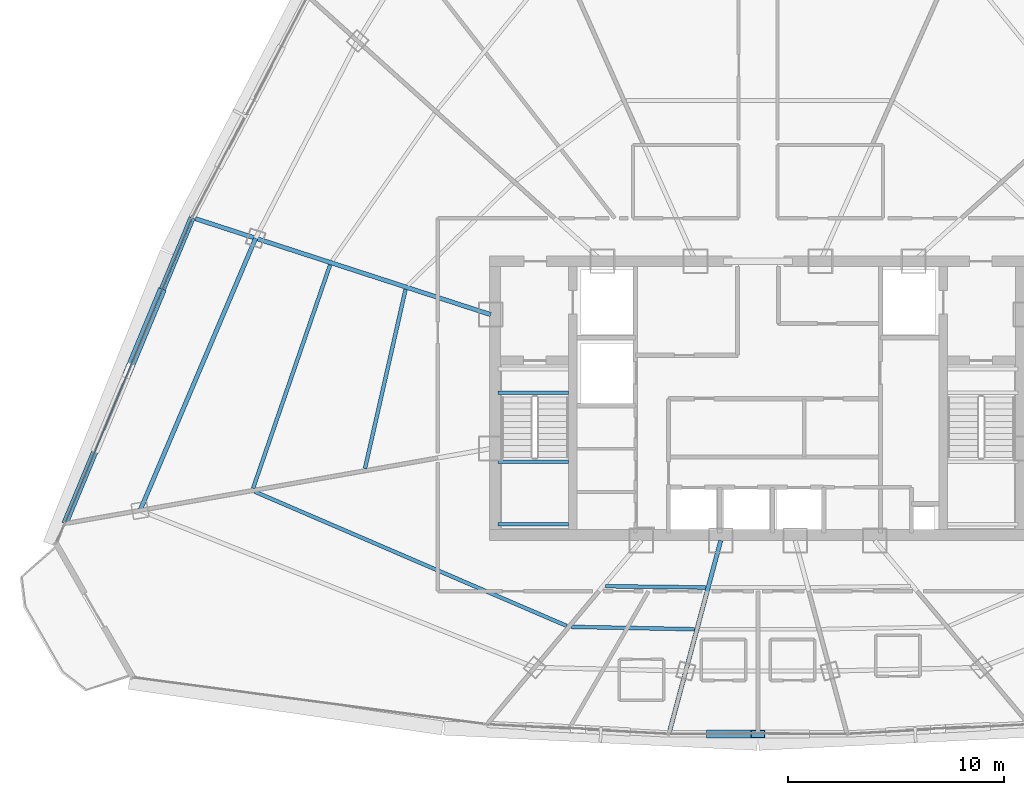
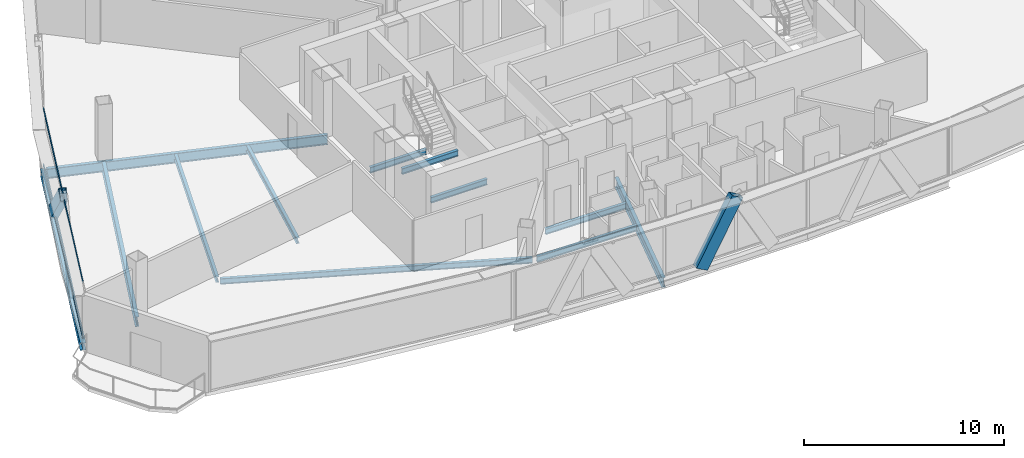
# One storey, part 7 of 37: 12 beams, 4 members, 1 element without a shape of its own.
"""IFC4 building model written with IfcOpenShell, lengths in metres."""

from ifc_helpers import new_model, si_unit, direction, frame, origin, origin_2d, place, context, subcontext, project, spatial, hollow_rectangle, i_section, extrude, source, transform, mapped, material, layer, layer_set, material_profile, profile_set, type_object, element, aggregate, save


model = new_model("IFC4")

# Units and contexts
model_context = context("Model", 3, precision=1e-05, world=origin(), true_north=direction((0.0, 1.0)))
body_context = subcontext(model_context, "Body", "Model", "MODEL_VIEW")
ifc_project = project(units=[si_unit("LENGTHUNIT", "METRE"), si_unit("AREAUNIT", "SQUARE_METRE"), si_unit("VOLUMEUNIT", "CUBIC_METRE"), si_unit("PLANEANGLEUNIT", "RADIAN"), si_unit("MASSUNIT", "GRAM", prefix="KILO"), si_unit("THERMODYNAMICTEMPERATUREUNIT", "KELVIN"), si_unit("POWERUNIT", "WATT")], contexts=[model_context])

# Site, building, storey
site_placement = place(None, origin())
site = spatial("IfcSite", under=ifc_project, at=site_placement, CompositionType="ELEMENT")
building_placement = place(site_placement, origin())
building = spatial("IfcBuilding", under=site, at=building_placement, Name="Yunzhuo Pagoda Commons", CompositionType="ELEMENT")
storey_placement = place(building_placement, frame((0.0, 0.0, 277.56005859375)))
storey = spatial("IfcBuildingStorey", under=building, at=storey_placement, Name="L69", CompositionType="ELEMENT", Elevation=277.56005859375)

# Beams
ifc_material_1 = material(Name="Structural steel Q355B", Category="steel")
ifc_material_profile_1 = material_profile(ifc_material_1, i_section(OverallWidth=0.175048828125, OverallDepth=0.35009765625, WebThickness=0.007080078125, FlangeThickness=0.010986328125, at=origin_2d()), Name="Structural steel Q355B")
ifc_profile_set_1 = profile_set([ifc_material_profile_1], Name="Structural steel Q355B")
beam_type_1 = type_object("IfcBeamType", Name="B-JS2 Joist HN 350x175x7x11", PredefinedType="JOIST", material=ifc_profile_set_1)
shared_shape_1 = source(origin(), body_context, "Body", "SweptSolid", [
    extrude(i_section(OverallWidth=0.175048828125, OverallDepth=0.35009765625, WebThickness=0.007080078125, FlangeThickness=0.010986328125, at=origin_2d()), origin(), (0.0, 0.0, 1.0), 3.25),
])
for number, where, z_axis, x_axis, name in (
    (1, (35.949951171875, 28.0, 1.489990234375), (1.0, 0.0, 0.0), (0.0, 1.0, 0.0), "L69 ST1 landing support beam 75A"),
    (2, (35.949951171875, 30.89990234375, 1.489990234375), (1.0, 0.0, 0.0), (0.0, 1.0, 0.0), "L69 ST1 landing support beam 75B"),
    (3, (35.949951171875, 34.10009765625, -0.375), (1.0, 0.0, 0.0), (0.0, 1.0, 0.0), "L69 ST1 landing support beam 173A"),
):
    element("IfcBeam", number, at=place(storey_placement, frame(where, z_axis=z_axis, x_axis=x_axis)), inside=storey, type_object=beam_type_1, Name=name, PredefinedType="JOIST", context=body_context, shape_type="MappedRepresentation", body=[
        mapped(shared_shape_1, transform((0.0, 0.0, 0.0), scale=1.0)),
    ])
ifc_material_profile_2 = material_profile(ifc_material_1, i_section(OverallWidth=0.300048828125, OverallDepth=0.43994140625, WebThickness=0.010986328125, FlangeThickness=0.01806640625, at=origin_2d()), Name="Structural steel Q355B")
ifc_profile_set_2 = profile_set([ifc_material_profile_2], Name="Structural steel Q355B")
beam_type_2 = type_object("IfcBeamType", Name="B-SP2 Beam HM 440x300x11x18", PredefinedType="BEAM", material=ifc_profile_set_2)
shared_shape_2 = source(origin(), body_context, "Body", "SweptSolid", [
    extrude(i_section(OverallWidth=0.300048828125, OverallDepth=0.43994140625, WebThickness=0.010986328125, FlangeThickness=0.01806640625, at=origin_2d()), origin(), (0.0, 0.0, 1.0), 15.375244140625),
])
beam_1_placement = place(storey_placement, frame((21.751708984375, 42.228515625, -0.47998046875), z_axis=(-0.383838408303, -0.923400279571, 0.0), x_axis=(0.923400279571, -0.383838408303, 0.0)))
element("IfcBeam", 4, at=beam_1_placement, inside=storey, type_object=beam_type_2, Name="L69 facade edge spandrel beam F3.3", PredefinedType="BEAM", context=body_context, shape_type="MappedRepresentation", body=[
    mapped(shared_shape_2, transform((0.0, 0.0, 0.0), scale=1.0)),
])
ifc_material_profile_3 = material_profile(ifc_material_1, i_section(OverallWidth=0.199951171875, OverallDepth=0.60009765625, WebThickness=0.010986328125, FlangeThickness=0.01708984375, at=origin_2d()), Name="Structural steel Q355B")
ifc_profile_set_3 = profile_set([ifc_material_profile_3], Name="Structural steel Q355B")
beam_type_3 = type_object("IfcBeamType", Name="B-RG3 Beam HN 600x200x11x17", PredefinedType="BEAM", material=ifc_profile_set_3)
shared_shape_3 = source(origin(), body_context, "Body", "SweptSolid", [
    extrude(i_section(OverallWidth=0.199951171875, OverallDepth=0.60009765625, WebThickness=0.010986328125, FlangeThickness=0.01708984375, at=origin_2d()), origin(), (0.0, 0.0, 1.0), 9.136474609375),
])
beam_2_placement = place(storey_placement, frame((43.906982421875, 18.4248046875, -0.56005859375), z_axis=(0.258848279134, 0.96591799258, 0.0), x_axis=(-0.96591799258, 0.258848279134, 0.0)))
element("IfcBeam", 5, at=beam_2_placement, inside=storey, type_object=beam_type_3, Name="L69 radial floor girder F1C2", PredefinedType="BEAM", context=body_context, shape_type="MappedRepresentation", body=[
    mapped(shared_shape_3, transform((0.0, 0.0, 0.0), scale=1.0)),
])
shared_shape_4 = source(origin(), body_context, "Body", "SweptSolid", [
    extrude(i_section(OverallWidth=0.199951171875, OverallDepth=0.60009765625, WebThickness=0.010986328125, FlangeThickness=0.01708984375, at=origin_2d()), origin(), (0.0, 0.0, 1.0), 14.406005859375),
])
beam_3_placement = place(storey_placement, frame((21.899169921875, 42.1806640625, -0.56005859375), z_axis=(0.951057355196, -0.309014412492, 0.0), x_axis=(0.309014412492, 0.951057355196, 0.0)))
element("IfcBeam", 6, at=beam_3_placement, inside=storey, type_object=beam_type_3, Name="L69 radial floor girder F3C3", PredefinedType="BEAM", context=body_context, shape_type="MappedRepresentation", body=[
    mapped(shared_shape_4, transform((0.0, 0.0, 0.0), scale=1.0)),
])
shared_shape_5 = source(origin(), body_context, "Body", "SweptSolid", [
    extrude(i_section(OverallWidth=0.175048828125, OverallDepth=0.35009765625, WebThickness=0.007080078125, FlangeThickness=0.010986328125, at=origin_2d()), origin(), (0.0, 0.0, 1.0), 4.64892578125),
])
beam_4_placement = place(storey_placement, frame((40.924072265625, 25.12890625, -0.43505859375), z_axis=(0.999924495467, -0.012288342626, 0.0), x_axis=(0.012288342626, 0.999924495467, 0.0)))
element("IfcBeam", 7, at=beam_4_placement, inside=storey, type_object=beam_type_1, Name="L69 composite ring joist 1.1", PredefinedType="JOIST", context=body_context, shape_type="MappedRepresentation", body=[
    mapped(shared_shape_5, transform((0.0, 0.0, 0.0), scale=1.0)),
])
shared_shape_6 = source(origin(), body_context, "Body", "SweptSolid", [
    extrude(i_section(OverallWidth=0.175048828125, OverallDepth=0.35009765625, WebThickness=0.007080078125, FlangeThickness=0.010986328125, at=origin_2d()), origin(), (0.0, 0.0, 1.0), 5.711669921875),
])
beam_5_placement = place(storey_placement, frame((39.343017578125, 23.24365234375, -0.43505859375), z_axis=(0.999819084998, -0.019020969297, 0.0), x_axis=(0.019020969297, 0.999819084998, 0.0)))
element("IfcBeam", 8, at=beam_5_placement, inside=storey, type_object=beam_type_1, Name="L69 composite ring joist 2.1", PredefinedType="JOIST", context=body_context, shape_type="MappedRepresentation", body=[
    mapped(shared_shape_6, transform((0.0, 0.0, 0.0), scale=1.0)),
])
shared_shape_7 = source(origin(), body_context, "Body", "SweptSolid", [
    extrude(i_section(OverallWidth=0.199951171875, OverallDepth=0.60009765625, WebThickness=0.010986328125, FlangeThickness=0.01708984375, at=origin_2d()), origin(), (0.0, 0.0, 1.0), 13.715576171875),
])
beam_6_placement = place(storey_placement, frame((24.697509765625, 41.271484375, -0.56005859375), z_axis=(-0.390733146992, -0.920503996646, 0.0), x_axis=(0.920503996646, -0.390733146992, 0.0)))
element("IfcBeam", 9, at=beam_6_placement, inside=storey, type_object=beam_type_3, Name="L69 column-ring beam 11", PredefinedType="BEAM", context=body_context, shape_type="MappedRepresentation", body=[
    mapped(shared_shape_7, transform((0.0, 0.0, 0.0), scale=1.0)),
])
shared_shape_8 = source(origin(), body_context, "Body", "SweptSolid", [
    extrude(i_section(OverallWidth=0.175048828125, OverallDepth=0.35009765625, WebThickness=0.007080078125, FlangeThickness=0.010986328125, at=origin_2d()), origin(), (0.0, 0.0, 1.0), 8.508544921875),
])
beam_7_placement = place(storey_placement, frame((31.649658203125, 38.89208984375, -0.43505859375), z_axis=(-0.220769003385, -0.975326123481, 0.0), x_axis=(0.975326123481, -0.220769003385, 0.0)))
element("IfcBeam", 10, at=beam_7_placement, inside=storey, type_object=beam_type_1, Name="L69 composite ring joist 1.11", PredefinedType="JOIST", context=body_context, shape_type="MappedRepresentation", body=[
    mapped(shared_shape_8, transform((0.0, 0.0, 0.0), scale=1.0)),
])
shared_shape_9 = source(origin(), body_context, "Body", "SweptSolid", [
    extrude(i_section(OverallWidth=0.175048828125, OverallDepth=0.35009765625, WebThickness=0.007080078125, FlangeThickness=0.010986328125, at=origin_2d()), origin(), (0.0, 0.0, 1.0), 10.954345703125),
])
beam_8_placement = place(storey_placement, frame((28.14892578125, 40.029052734375, -0.43505859375), z_axis=(-0.325839571137, -0.945425075763, 0.0), x_axis=(0.945425075763, -0.325839571137, 0.0)))
element("IfcBeam", 11, at=beam_8_placement, inside=storey, type_object=beam_type_1, Name="L69 composite ring joist 2.11", PredefinedType="JOIST", context=body_context, shape_type="MappedRepresentation", body=[
    mapped(shared_shape_9, transform((0.0, 0.0, 0.0), scale=1.0)),
])
shared_shape_10 = source(origin(), body_context, "Body", "SweptSolid", [
    extrude(i_section(OverallWidth=0.175048828125, OverallDepth=0.35009765625, WebThickness=0.007080078125, FlangeThickness=0.010986328125, at=origin_2d()), origin(), (0.0, 0.0, 1.0), 15.757568359375),
])
beam_9_placement = place(storey_placement, frame((24.647705078125, 29.5185546875, -0.43505859375), z_axis=(0.918597596679, -0.395194199573, 0.0), x_axis=(0.395194199573, 0.918597596679, 0.0)))
element("IfcBeam", 12, at=beam_9_placement, inside=storey, type_object=beam_type_1, Name="L69 composite ring joist 2.12", PredefinedType="JOIST", context=body_context, shape_type="MappedRepresentation", body=[
    mapped(shared_shape_10, transform((0.0, 0.0, 0.0), scale=1.0)),
])

# Members
ifc_material_profile_4 = material_profile(ifc_material_1, hollow_rectangle(XDim=0.3798828125, YDim=0.719970703125, WallThickness=0.02001953125, at=origin_2d()), Name="Structural steel Q355B")
ifc_profile_set_4 = profile_set([ifc_material_profile_4], Name="Structural steel Q355B")
member_type_1 = type_object("IfcMemberType", Name="M-DL3 Brace BOX 720x380x20", PredefinedType="BRACE", material=ifc_profile_set_4)
shared_shape_11 = source(origin(), body_context, "Body", "SweptSolid", [
    extrude(hollow_rectangle(XDim=0.3798828125, YDim=0.719970703125, WallThickness=0.02001953125, at=origin_2d()), origin(), (0.0, 0.0, 1.0), 4.26416015625),
])
member_1_placement = place(storey_placement, frame((45.93359375, 18.275390625, -0.260009765625), z_axis=(0.4846022834, 0.0, 0.874734603708), x_axis=(0.0, 1.0, 0.0)))
element("IfcMember", 13, at=member_1_placement, inside=storey, type_object=member_type_1, Name="L69 facade diamond brace F1.2L", PredefinedType="BRACE", context=body_context, shape_type="MappedRepresentation", body=[
    mapped(shared_shape_11, transform((0.0, 0.0, 0.0), scale=1.0)),
])
shared_shape_12 = source(origin(), body_context, "Body", "SweptSolid", [
    extrude(hollow_rectangle(XDim=0.3798828125, YDim=0.719970703125, WallThickness=0.02001953125, at=origin_2d()), origin(), (0.0, 0.0, 1.0), 5.35595703125),
])
member_2_placement = place(storey_placement, frame((20.276123046875, 38.67919921875, -0.260009765625), z_axis=(-0.27545446542, -0.662676984667, 0.696407963388), x_axis=(0.923403568179, -0.383830496802, 0.0)))
element("IfcMember", 14, at=member_2_placement, inside=storey, type_object=member_type_1, Name="L69 facade diamond brace F3.3L", PredefinedType="BRACE", context=body_context, shape_type="MappedRepresentation", body=[
    mapped(shared_shape_12, transform((0.0, 0.0, 0.0), scale=1.0)),
])

# Curtain wall, members
ifc_material_2 = material(Name="Anodized aluminium 6063-T6", Category="aluminium")
ifc_layer = layer(ifc_material_2, 0.139892578125)
ifc_layer_set = layer_set([ifc_layer], Name="Anodized aluminium 6063-T6")
curtain_wall_type = type_object("IfcCurtainWallType", Name="CW-HI High-Zone Ribbon Curtain Wall", PredefinedType="NOTDEFINED", material=ifc_layer_set)
curtain_wall_placement = place(storey_placement, origin())
curtain_wall = element("IfcCurtainWall", 15, at=curtain_wall_placement, inside=storey, type_object=curtain_wall_type, Name="L69 curtain wall CW-L69-F3B4", PredefinedType="NOTDEFINED")
ifc_material_profile_5 = material_profile(ifc_material_2, hollow_rectangle(XDim=0.054931640625, YDim=0.1201171875, WallThickness=0.00341796875, at=origin_2d()), Name="Anodized aluminium 6063-T6")
ifc_profile_set_5 = profile_set([ifc_material_profile_5], Name="Anodized aluminium 6063-T6")
member_type_2 = type_object("IfcMemberType", Name="CW-HI-T Transom RHS 120x55x3.5", PredefinedType="USERDEFINED", material=ifc_profile_set_5)
shared_shape_13 = source(origin(), body_context, "Body", "SweptSolid", [
    extrude(hollow_rectangle(XDim=0.054931640625, YDim=0.1201171875, WallThickness=0.00341796875, at=origin_2d()), origin(), (0.0, 0.0, 1.0), 15.25537109375),
])
member_3_placement = place(storey_placement, frame((21.728759765625, 42.173095703125, 0.02734375), z_axis=(-0.383861857229, -0.923390531988, 0.0), x_axis=(0.923390531988, -0.383861857229, 0.0)))
member_3 = element("IfcMember", 16, at=member_3_placement, type_object=member_type_2, Name="CW transom 1.1", ObjectType="TRANSOM", PredefinedType="USERDEFINED", context=body_context, shape_type="MappedRepresentation", body=[
    mapped(shared_shape_13, transform((0.0, 0.0, 0.0), scale=1.0)),
])
member_4_placement = place(storey_placement, frame((21.728759765625, 42.173095703125, 3.4423828125), z_axis=(-0.383861857229, -0.923390531988, 0.0), x_axis=(0.923390531988, -0.383861857229, 0.0)))
member_4 = element("IfcMember", 17, at=member_4_placement, type_object=member_type_2, Name="CW transom 1.2", ObjectType="TRANSOM", PredefinedType="USERDEFINED", context=body_context, shape_type="MappedRepresentation", body=[
    mapped(shared_shape_13, transform((0.0, 0.0, 0.0), scale=1.0)),
])
aggregate(curtain_wall, [member_3, member_4])

save(model, "model.ifc")
